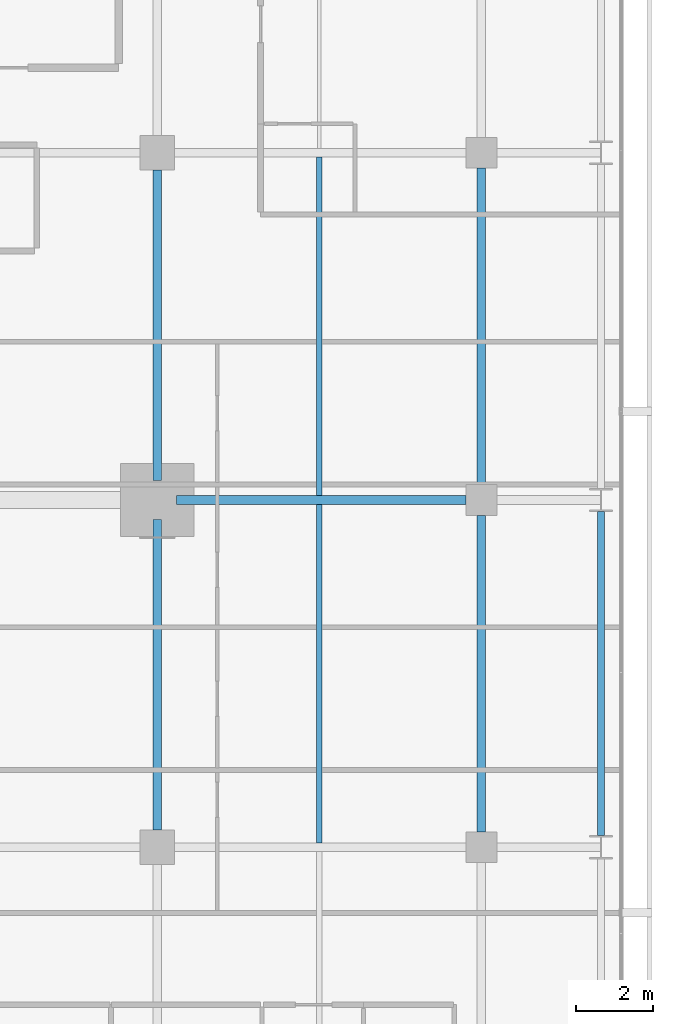
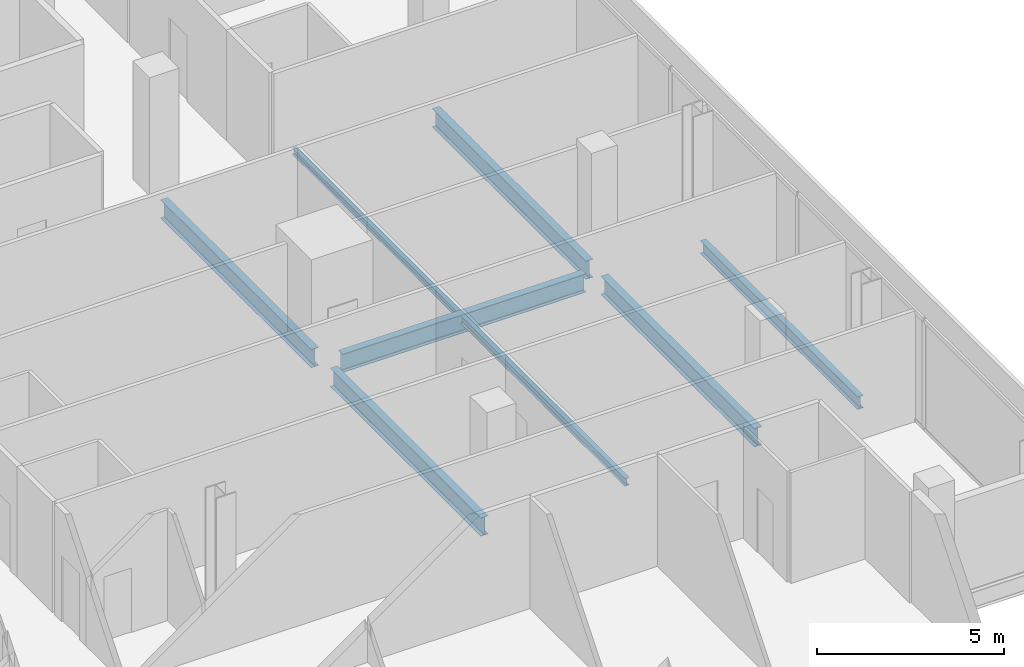
# One storey, part 16 of 34: 8 beams.
"""IFC4 building model written with IfcOpenShell, lengths in metres."""

from ifc_helpers import new_model, si_unit, direction, frame, origin, origin_2d, place, context, subcontext, project, spatial, i_section, extrude, material, material_profile, profile_set, type_object, element, save


model = new_model("IFC4")

# Units and contexts
model_context = context("Model", 3, precision=1e-05, world=origin(), true_north=direction((0.0, 1.0)))
body_context = subcontext(model_context, "Body", "Model", "MODEL_VIEW")
ifc_project = project(units=[si_unit("LENGTHUNIT", "METRE"), si_unit("AREAUNIT", "SQUARE_METRE"), si_unit("VOLUMEUNIT", "CUBIC_METRE"), si_unit("PLANEANGLEUNIT", "RADIAN"), si_unit("MASSUNIT", "GRAM", prefix="KILO")], contexts=[model_context])

# Site, building, storey
site_placement = place(None, origin())
site = spatial("IfcSite", under=ifc_project, at=site_placement, CompositionType="ELEMENT")
building_placement = place(site_placement, origin())
building = spatial("IfcBuilding", under=site, at=building_placement, Name="Maruvema Waterfront Hotel and Observation Tower", CompositionType="ELEMENT")
storey_placement = place(building_placement, frame((0.0, 0.0, 185.14990234375)))
storey = spatial("IfcBuildingStorey", under=building, at=storey_placement, Name="L45", CompositionType="ELEMENT", Elevation=185.14990234375)

# Beams
ifc_material_1 = material(Name="Steel ASTM A572 Grade 50", Category="steel")
ifc_material_profile_1 = material_profile(ifc_material_1, i_section(OverallWidth=0.180908203125, OverallDepth=0.4169921875, WebThickness=0.010986328125, FlangeThickness=0.018310546875, FilletRadius=0.014892578125, at=origin_2d()), Name="W410x85.0")
ifc_profile_set_1 = profile_set([ifc_material_profile_1], Name="Steel ASTM A572 Grade 50")
beam_type_1 = type_object("IfcBeamType", Name="Perimeter Spandrel Beam W410x85.0", PredefinedType="SPANDREL", material=ifc_profile_set_1)
beam_1_placement = place(storey_placement, frame((61.89990234375, 18.300048828125, -0.448486328125), z_axis=(0.0, 1.0, 0.0), x_axis=(-1.0, 0.0, 0.0)))
element("IfcBeam", 1, at=beam_1_placement, inside=storey, type_object=beam_type_1, Name="L45 Floor Girder NS-30", PredefinedType="SPANDREL", context=body_context, shape_type="SweptSolid", body=[
    extrude(i_section(OverallWidth=0.180908203125, OverallDepth=0.4169921875, WebThickness=0.010986328125, FlangeThickness=0.018310546875, FilletRadius=0.014892578125, at=origin_2d()), origin(), (0.0, 0.0, 1.0), 8.39990234375),
])
ifc_material_2 = material(Name="Steel ASTM A572 Grade 50", Category="steel")
ifc_material_profile_2 = material_profile(ifc_material_2, i_section(OverallWidth=0.22802734375, OverallDepth=0.60302734375, WebThickness=0.010498046875, FlangeThickness=0.014892578125, FilletRadius=0.01806640625, at=origin_2d()), Name="W610x101.0")
ifc_profile_set_2 = profile_set([ifc_material_profile_2], Name="Steel ASTM A572 Grade 50")
beam_type_2 = type_object("IfcBeamType", Name="Primary Floor Girder W610x101.0", PredefinedType="BEAM", material=ifc_profile_set_2)
beam_2_placement = place(storey_placement, frame((50.89990234375, 27.0, -0.54150390625), z_axis=(1.0, 0.0, 0.0), x_axis=(0.0, 1.0, 0.0)))
element("IfcBeam", 2, at=beam_2_placement, inside=storey, type_object=beam_type_2, Name="L45 Floor Girder EW-21", PredefinedType="BEAM", context=body_context, shape_type="SweptSolid", body=[
    extrude(i_section(OverallWidth=0.22802734375, OverallDepth=0.60302734375, WebThickness=0.010498046875, FlangeThickness=0.014892578125, FilletRadius=0.01806640625, at=origin_2d()), origin(), (0.0, 0.0, 1.0), 7.5),
])
for number, where, z_axis, x_axis, name in (
    (3, (50.39990234375, 18.449951171875, -0.54150390625), (0.0, 1.0, 0.0), (-1.0, 0.0, 0.0), "L45 Floor Girder NS-22"),
    (4, (50.39990234375, 27.5, -0.54150390625), (0.0, 1.0, 0.0), (-1.0, 0.0, 0.0), "L45 Floor Girder NS-23"),
):
    element("IfcBeam", number, at=place(storey_placement, frame(where, z_axis=z_axis, x_axis=x_axis)), inside=storey, type_object=beam_type_2, Name=name, PredefinedType="BEAM", context=body_context, shape_type="SweptSolid", body=[
        extrude(i_section(OverallWidth=0.22802734375, OverallDepth=0.60302734375, WebThickness=0.010498046875, FlangeThickness=0.014892578125, FilletRadius=0.01806640625, at=origin_2d()), origin(), (0.0, 0.0, 1.0), 8.050048828125),
    ])
for number, where, z_axis, x_axis, name in (
    (5, (58.800048828125, 18.39990234375, -0.54150390625), (0.0, 1.0, 0.0), (-1.0, 0.0, 0.0), "L45 Floor Girder NS-26"),
    (6, (58.800048828125, 27.39990234375, -0.54150390625), (0.0, 1.0, 0.0), (-1.0, 0.0, 0.0), "L45 Floor Girder NS-27"),
):
    element("IfcBeam", number, at=place(storey_placement, frame(where, z_axis=z_axis, x_axis=x_axis)), inside=storey, type_object=beam_type_2, Name=name, PredefinedType="BEAM", context=body_context, shape_type="SweptSolid", body=[
        extrude(i_section(OverallWidth=0.22802734375, OverallDepth=0.60302734375, WebThickness=0.010498046875, FlangeThickness=0.014892578125, FilletRadius=0.01806640625, at=origin_2d()), origin(), (0.0, 0.0, 1.0), 8.2001953125),
    ])
ifc_material_3 = material(Name="Steel ASTM A572 Grade 50", Category="steel")
ifc_material_profile_3 = material_profile(ifc_material_3, i_section(OverallWidth=0.133056640625, OverallDepth=0.20703125, WebThickness=0.005859375, FlangeThickness=0.00830078125, FilletRadius=0.010009765625, at=origin_2d()), Name="W200x26.6")
ifc_profile_set_3 = profile_set([ifc_material_profile_3], Name="Steel ASTM A572 Grade 50")
beam_type_3 = type_object("IfcBeamType", Name="Secondary Floor Joist W200x26.6", PredefinedType="JOIST", material=ifc_profile_set_3)
beam_3_placement = place(storey_placement, frame((54.60009765625, 27.114013671875, -0.343505859375), z_axis=(0.0, 1.0, 0.0), x_axis=(-1.0, 0.0, 0.0)))
element("IfcBeam", 7, at=beam_3_placement, inside=storey, type_object=beam_type_3, Name="L45 Secondary Floor Joist JS-13", PredefinedType="JOIST", context=body_context, shape_type="SweptSolid", body=[
    extrude(i_section(OverallWidth=0.133056640625, OverallDepth=0.20703125, WebThickness=0.005859375, FlangeThickness=0.00830078125, FilletRadius=0.010009765625, at=origin_2d()), origin(), (0.0, 0.0, 1.0), 8.77197265625),
])
ifc_material_4 = material(Name="Steel ASTM A572 Grade 50", Category="steel")
ifc_material_profile_4 = material_profile(ifc_material_4, i_section(OverallWidth=0.14599609375, OverallDepth=0.258056640625, WebThickness=0.006103515625, FlangeThickness=0.009033203125, FilletRadius=0.012939453125, at=origin_2d()), Name="W250x32.7")
ifc_profile_set_4 = profile_set([ifc_material_profile_4], Name="Steel ASTM A572 Grade 50")
beam_type_4 = type_object("IfcBeamType", Name="Secondary Floor Joist W250x32.7", PredefinedType="JOIST", material=ifc_profile_set_4)
beam_4_placement = place(storey_placement, frame((54.60009765625, 18.114013671875, -0.368896484375), z_axis=(0.0, 1.0, 0.0), x_axis=(-1.0, 0.0, 0.0)))
element("IfcBeam", 8, at=beam_4_placement, inside=storey, type_object=beam_type_4, Name="L45 Secondary Floor Joist JS-12", PredefinedType="JOIST", context=body_context, shape_type="SweptSolid", body=[
    extrude(i_section(OverallWidth=0.14599609375, OverallDepth=0.258056640625, WebThickness=0.006103515625, FlangeThickness=0.009033203125, FilletRadius=0.012939453125, at=origin_2d()), origin(), (0.0, 0.0, 1.0), 8.77197265625),
])

save(model, "model.ifc")
